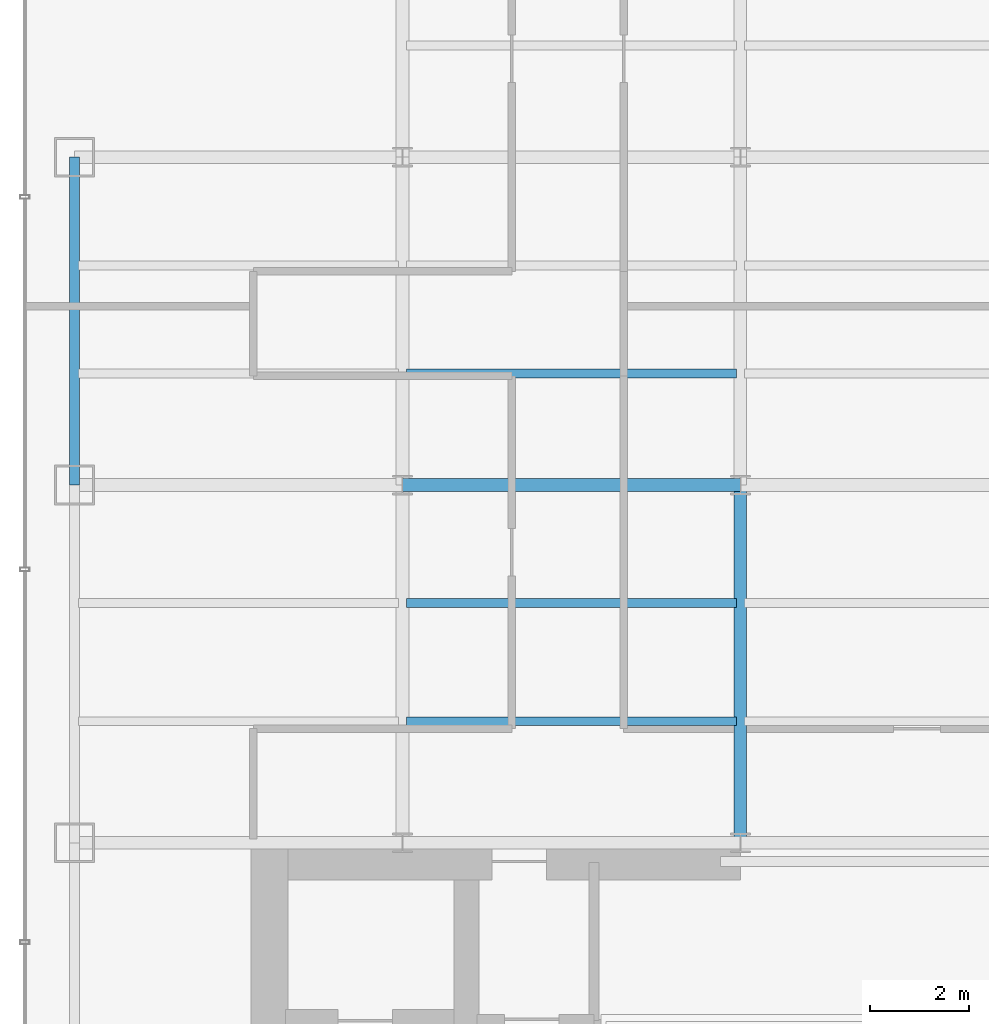
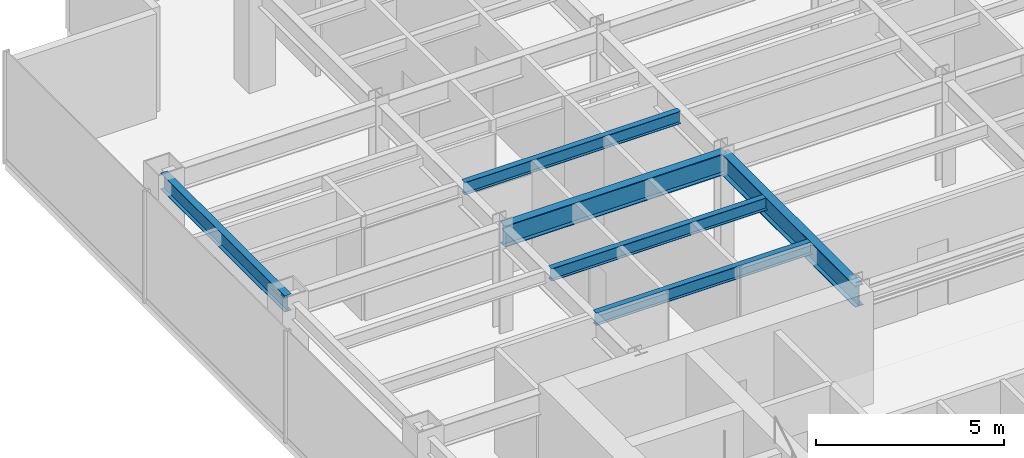
# One storey, part 5 of 26: 6 beams.
"""IFC4 building model written with IfcOpenShell, lengths in metres."""

from ifc_helpers import new_model, si_unit, derived_unit, direction, frame, origin, origin_2d, place, context, subcontext, project, spatial, i_section, extrude, source, transform, mapped, material, material_profile, profile_set, type_object, element, save


model = new_model("IFC4")

# Units and contexts
model_context = context("Model", 3, precision=1e-05, world=origin(), true_north=direction((0.0, 1.0)))
body_context = subcontext(model_context, "Body", "Model", "MODEL_VIEW")
ifc_project = project(units=[si_unit("LENGTHUNIT", "METRE"), si_unit("AREAUNIT", "SQUARE_METRE"), si_unit("VOLUMEUNIT", "CUBIC_METRE"), si_unit("PLANEANGLEUNIT", "RADIAN"), si_unit("MASSUNIT", "GRAM", prefix="KILO"), derived_unit("THERMALTRANSMITTANCEUNIT", [(si_unit("POWERUNIT", "WATT"), 1), (si_unit("LENGTHUNIT", "METRE"), -2), (si_unit("THERMODYNAMICTEMPERATUREUNIT", "KELVIN"), -1)])], contexts=[model_context])

# Site, building, storey
site_placement = place(None, origin())
site = spatial("IfcSite", under=ifc_project, at=site_placement, CompositionType="ELEMENT")
building_placement = place(site_placement, origin())
building = spatial("IfcBuilding", under=site, at=building_placement, Name="Skarnbrae Concourse Arena and Tower", CompositionType="ELEMENT")
storey_placement = place(building_placement, frame((0.0, 0.0, 125.14990234375)))
storey = spatial("IfcBuildingStorey", under=building, at=storey_placement, Name="L31", CompositionType="ELEMENT", Elevation=125.14990234375)

# Beams
ifc_material = material(Name="Steel CSA G40.21 350W", Category="steel")
ifc_material_profile_1 = material_profile(ifc_material, i_section(OverallWidth=0.256103515625, OverallDepth=0.693115234375, WebThickness=0.014404296875, FlangeThickness=0.023681640625, at=origin_2d()), Name="W690X170")
ifc_profile_set_1 = profile_set([ifc_material_profile_1], Name="Steel CSA G40.21 350W")
beam_type_1 = type_object("IfcBeamType", Name="BM-GIRD-W690X170", PredefinedType="BEAM", material=ifc_profile_set_1)
shared_shape_1 = source(origin(), body_context, "Body", "SweptSolid", [
    extrude(i_section(OverallWidth=0.256103515625, OverallDepth=0.693115234375, WebThickness=0.014404296875, FlangeThickness=0.023681640625, at=origin_2d()), origin(), (0.0, 0.0, 1.0), 6.7998046875),
])
beam_1_placement = place(storey_placement, frame((7.60009765625, 21.199951171875, 3.0537109375), z_axis=(1.0, 0.0, 0.0), x_axis=(0.0, 1.0, 0.0)))
element("IfcBeam", 1, at=beam_1_placement, inside=storey, type_object=beam_type_1, Name="L31 Primary E-W girder Y21.2-2", PredefinedType="BEAM", context=body_context, shape_type="MappedRepresentation", body=[
    mapped(shared_shape_1, transform((0.0, 0.0, 0.0))),
])
ifc_material_profile_2 = material_profile(ifc_material, i_section(OverallWidth=0.208984375, OverallDepth=0.532958984375, WebThickness=0.01025390625, FlangeThickness=0.015625, at=origin_2d()), Name="W530X92")
ifc_profile_set_2 = profile_set([ifc_material_profile_2], Name="Steel CSA G40.21 350W")
beam_type_2 = type_object("IfcBeamType", Name="BM-SPAN-W530X92", PredefinedType="SPANDREL", material=ifc_profile_set_2)
shared_shape_2 = source(origin(), body_context, "Body", "SweptSolid", [
    extrude(i_section(OverallWidth=0.208984375, OverallDepth=0.532958984375, WebThickness=0.01025390625, FlangeThickness=0.015625, at=origin_2d()), origin(), (0.0, 0.0, 1.0), 6.60009765625),
])
beam_2_placement = place(storey_placement, frame((1.0, 21.199951171875, 3.133544921875), z_axis=(0.0, 1.0, 0.0), x_axis=(-1.0, 0.0, 0.0)))
element("IfcBeam", 2, at=beam_2_placement, inside=storey, type_object=beam_type_2, Name="L31 Perimeter spandrel X1.0-3", PredefinedType="SPANDREL", context=body_context, shape_type="MappedRepresentation", body=[
    mapped(shared_shape_2, transform((0.0, 0.0, 0.0))),
])
shared_shape_3 = source(origin(), body_context, "Body", "SweptSolid", [
    extrude(i_section(OverallWidth=0.256103515625, OverallDepth=0.693115234375, WebThickness=0.014404296875, FlangeThickness=0.023681640625, at=origin_2d()), origin(), (0.0, 0.0, 1.0), 7.199951171875),
])
beam_3_placement = place(storey_placement, frame((14.39990234375, 14.0, 3.0537109375), z_axis=(0.0, 1.0, 0.0), x_axis=(-1.0, 0.0, 0.0)))
element("IfcBeam", 3, at=beam_3_placement, inside=storey, type_object=beam_type_1, Name="L31 Primary N-S girder X14.4-1", PredefinedType="BEAM", context=body_context, shape_type="MappedRepresentation", body=[
    mapped(shared_shape_3, transform((0.0, 0.0, 0.0))),
])
ifc_material_profile_3 = material_profile(ifc_material, i_section(OverallWidth=0.177978515625, OverallDepth=0.406982421875, WebThickness=0.0078125, FlangeThickness=0.0126953125, at=origin_2d()), Name="W410X60")
ifc_profile_set_3 = profile_set([ifc_material_profile_3], Name="Steel CSA G40.21 350W")
beam_type_3 = type_object("IfcBeamType", Name="BM-JOIST-W410X60", PredefinedType="JOIST", material=ifc_profile_set_3)
shared_shape_4 = source(origin(), body_context, "Body", "SweptSolid", [
    extrude(i_section(OverallWidth=0.177978515625, OverallDepth=0.406982421875, WebThickness=0.0078125, FlangeThickness=0.0126953125, at=origin_2d()), origin(), (0.0, 0.0, 1.0), 6.64013671875),
])
for number, where, z_axis, x_axis, name in (
    (4, (7.679931640625, 16.447998046875, 3.196533203125), (1.0, 0.0, 0.0), (0.0, 1.0, 0.0), "L31 Secondary floor joist 1.1.2"),
    (5, (7.679931640625, 18.823974609375, 3.196533203125), (1.0, 0.0, 0.0), (0.0, 1.0, 0.0), "L31 Secondary floor joist 1.2.2"),
    (6, (7.679931640625, 23.444091796875, 3.196533203125), (1.0, 0.0, 0.0), (0.0, 1.0, 0.0), "L31 Secondary floor joist 2.1.2"),
):
    element("IfcBeam", number, at=place(storey_placement, frame(where, z_axis=z_axis, x_axis=x_axis)), inside=storey, type_object=beam_type_3, Name=name, PredefinedType="JOIST", context=body_context, shape_type="MappedRepresentation", body=[
        mapped(shared_shape_4, transform((0.0, 0.0, 0.0))),
    ])

save(model, "model.ifc")
